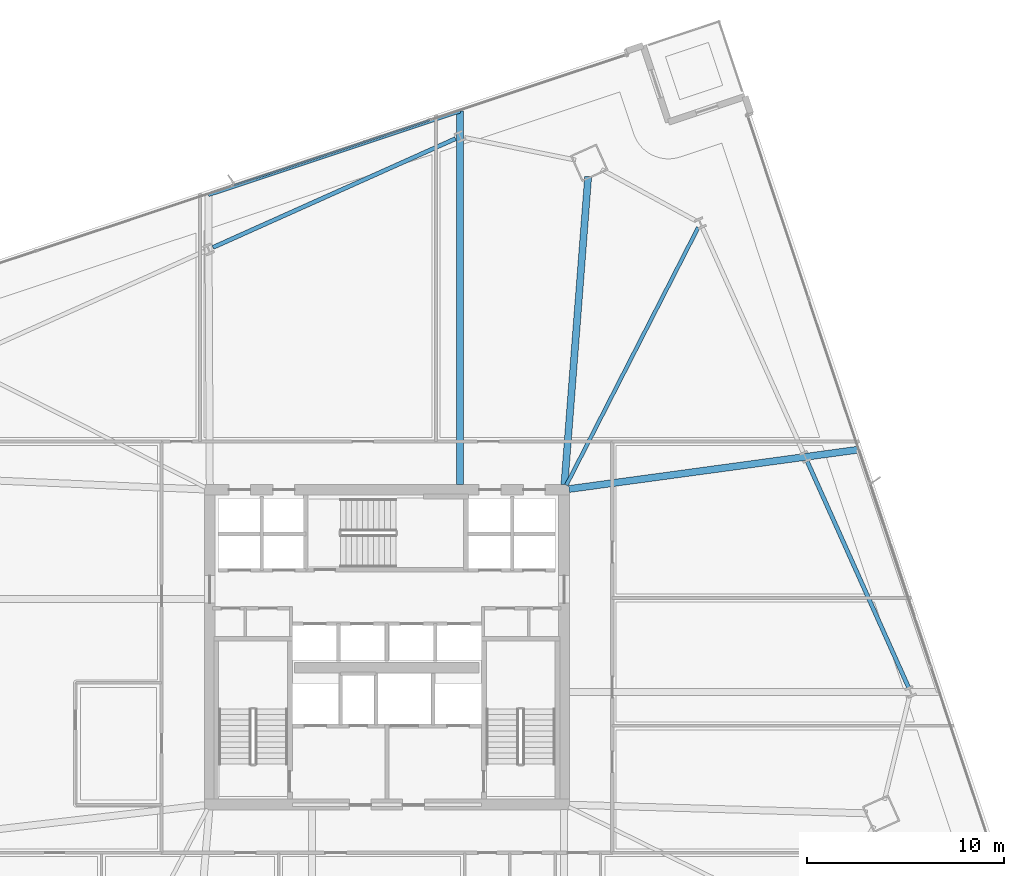
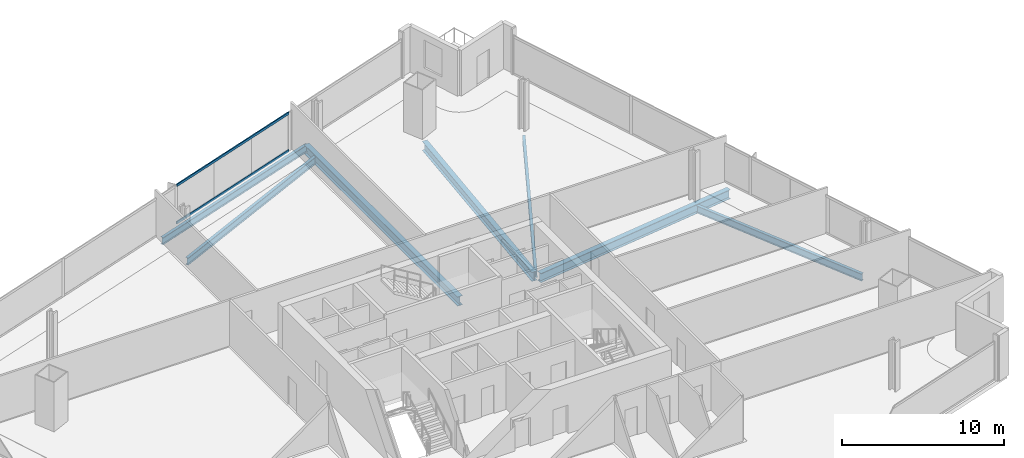
# One storey, part 19 of 34: 7 beams, 2 members, 1 element without a shape of its own.
"""IFC4 building model written with IfcOpenShell, lengths in metres."""

from ifc_helpers import new_model, si_unit, direction, frame, origin, origin_2d, place, context, subcontext, project, spatial, hollow_rectangle, i_section, extrude, material, material_profile, profile_set, type_object, element, aggregate, save


model = new_model("IFC4")

# Units and contexts
model_context = context("Model", 3, precision=1e-05, world=origin(), true_north=direction((0.0, 1.0)))
body_context = subcontext(model_context, "Body", "Model", "MODEL_VIEW")
ifc_project = project(units=[si_unit("LENGTHUNIT", "METRE"), si_unit("AREAUNIT", "SQUARE_METRE"), si_unit("VOLUMEUNIT", "CUBIC_METRE"), si_unit("PLANEANGLEUNIT", "RADIAN"), si_unit("MASSUNIT", "GRAM", prefix="KILO")], contexts=[model_context])

# Site, building, storey
site_placement = place(None, origin())
site = spatial("IfcSite", under=ifc_project, at=site_placement, CompositionType="ELEMENT")
building_placement = place(site_placement, origin())
building = spatial("IfcBuilding", under=site, at=building_placement, Name="Haldenkirk Collegiate Tower", CompositionType="ELEMENT")
storey_placement = place(building_placement, frame((0.0, 0.0, 90.449951171875)))
storey = spatial("IfcBuildingStorey", under=building, at=storey_placement, Name="L21", CompositionType="ELEMENT", Elevation=90.449951171875)

# Beams
ifc_material_1 = material(Name="Steel ASTM A992 Grade 50", Category="steel")
ifc_material_profile_1 = material_profile(ifc_material_1, i_section(OverallWidth=0.35498046875, OverallDepth=0.696044921875, WebThickness=0.015380859375, FlangeThickness=0.02490234375, at=origin_2d()), Name="W27X146")
ifc_profile_set_1 = profile_set([ifc_material_profile_1], Name="Steel ASTM A992 Grade 50")
beam_type_1 = type_object("IfcBeamType", Name="BM-GIRDER-W27X146", PredefinedType="BEAM", material=ifc_profile_set_1)
beam_1_placement = place(storey_placement, frame((46.226806640625, 49.9072265625, -0.64794921875), z_axis=(-0.076898657581, -0.997038914217, 0.0), x_axis=(0.997038914217, -0.076898657581, 0.0)))
element("IfcBeam", 1, at=beam_1_placement, inside=storey, type_object=beam_type_1, Name="L21 primary floor girder 03", PredefinedType="BEAM", context=body_context, shape_type="SweptSolid", body=[
    extrude(i_section(OverallWidth=0.35498046875, OverallDepth=0.696044921875, WebThickness=0.015380859375, FlangeThickness=0.02490234375, at=origin_2d()), origin(), (0.0, 0.0, 1.0), 15.699462890625),
])
beam_2_placement = place(storey_placement, frame((59.937255859375, 36.031982421875, -0.64794921875), z_axis=(-0.990874223955, -0.134789733664, 0.0), x_axis=(0.134789733664, -0.990874223955, 0.0)))
element("IfcBeam", 2, at=beam_2_placement, inside=storey, type_object=beam_type_1, Name="L21 primary floor girder 09", PredefinedType="BEAM", context=body_context, shape_type="SweptSolid", body=[
    extrude(i_section(OverallWidth=0.35498046875, OverallDepth=0.696044921875, WebThickness=0.015380859375, FlangeThickness=0.02490234375, at=origin_2d()), origin(), (0.0, 0.0, 1.0), 14.81982421875),
])
beam_3_placement = place(storey_placement, frame((39.71630859375, 53.245849609375, -0.64794921875), z_axis=(0.0, -1.0, 0.0), x_axis=(1.0, 0.0, 0.0)))
element("IfcBeam", 3, at=beam_3_placement, inside=storey, type_object=beam_type_1, Name="L21 primary floor girder 11", PredefinedType="BEAM", context=body_context, shape_type="SweptSolid", body=[
    extrude(i_section(OverallWidth=0.35498046875, OverallDepth=0.696044921875, WebThickness=0.015380859375, FlangeThickness=0.02490234375, at=origin_2d()), origin(), (0.0, 0.0, 1.0), 18.990966796875),
])
ifc_material_profile_2 = material_profile(ifc_material_1, i_section(OverallWidth=0.19189453125, OverallDepth=0.462890625, WebThickness=0.010498046875, FlangeThickness=0.017578125, at=origin_2d()), Name="W18X60")
ifc_profile_set_2 = profile_set([ifc_material_profile_2], Name="Steel ASTM A992 Grade 50")
beam_type_2 = type_object("IfcBeamType", Name="BM-JOIST-W18X60", PredefinedType="JOIST", material=ifc_profile_set_2)
beam_4_placement = place(storey_placement, frame((51.818603515625, 47.32470703125, -0.531494140625), z_axis=(-0.455544005291, -0.890213266158, 0.0), x_axis=(0.890213266158, -0.455544005291, 0.0)))
element("IfcBeam", 4, at=beam_4_placement, inside=storey, type_object=beam_type_2, Name="L21 composite floor joist 10", PredefinedType="JOIST", context=body_context, shape_type="SweptSolid", body=[
    extrude(i_section(OverallWidth=0.19189453125, OverallDepth=0.462890625, WebThickness=0.010498046875, FlangeThickness=0.017578125, at=origin_2d()), origin(), (0.0, 0.0, 1.0), 14.712890625),
])
ifc_material_profile_3 = material_profile(ifc_material_1, i_section(OverallWidth=0.2119140625, OverallDepth=0.5439453125, WebThickness=0.01318359375, FlangeThickness=0.021240234375, at=origin_2d()), Name="W21X83")
ifc_profile_set_3 = profile_set([ifc_material_profile_3], Name="Steel ASTM A992 Grade 50")
beam_type_3 = type_object("IfcBeamType", Name="BM-SPANDREL-W21X83", PredefinedType="SPANDREL", material=ifc_profile_set_3)
beam_5_placement = place(storey_placement, frame((62.50830078125, 23.951416015625, -0.572021484375), z_axis=(-0.409131045523, 0.91247563671, 0.0), x_axis=(-0.91247563671, -0.409131045523, 0.0)))
element("IfcBeam", 5, at=beam_5_placement, inside=storey, type_object=beam_type_3, Name="L21 perimeter spandrel beam 06", PredefinedType="SPANDREL", context=body_context, shape_type="SweptSolid", body=[
    extrude(i_section(OverallWidth=0.2119140625, OverallDepth=0.5439453125, WebThickness=0.01318359375, FlangeThickness=0.021240234375, at=origin_2d()), origin(), (0.0, 0.0, 1.0), 12.593994140625),
])
beam_6_placement = place(storey_placement, frame((39.4921875, 51.84033203125, -0.572021484375), z_axis=(-0.912476765144, -0.409128528793, 0.0), x_axis=(0.409128528793, -0.912476765144, 0.0)))
element("IfcBeam", 6, at=beam_6_placement, inside=storey, type_object=beam_type_3, Name="L21 perimeter spandrel beam 10", PredefinedType="SPANDREL", context=body_context, shape_type="SweptSolid", body=[
    extrude(i_section(OverallWidth=0.2119140625, OverallDepth=0.5439453125, WebThickness=0.01318359375, FlangeThickness=0.021240234375, at=origin_2d()), origin(), (0.0, 0.0, 1.0), 13.512939453125),
])
beam_7_placement = place(storey_placement, frame((39.71630859375, 53.245849609375, -0.572021484375), z_axis=(-0.94888049864, -0.315635548222, 0.0), x_axis=(0.315635548222, -0.94888049864, 0.0)))
element("IfcBeam", 7, at=beam_7_placement, inside=storey, type_object=beam_type_3, Name="L21 outer facade edge beam 3", PredefinedType="SPANDREL", context=body_context, shape_type="SweptSolid", body=[
    extrude(i_section(OverallWidth=0.2119140625, OverallDepth=0.5439453125, WebThickness=0.01318359375, FlangeThickness=0.021240234375, at=origin_2d()), origin(), (0.0, 0.0, 1.0), 13.48193359375),
])

# Curtain wall, members
ifc_material_2 = material(Name="Anodised architectural bronze aluminium", Category="aluminium")
curtain_wall_type = type_object("IfcCurtainWallType", Name="CW-SYS1-CONVEX-LOW", PredefinedType="USERDEFINED", material=ifc_material_2)
curtain_wall_placement = place(storey_placement, origin())
curtain_wall = element("IfcCurtainWall", 8, at=curtain_wall_placement, inside=storey, type_object=curtain_wall_type, Name="L21 Lower tower convex bronze-framed unitised curtain wall", ObjectType="UNITISED CURTAIN WALL", PredefinedType="USERDEFINED")
ifc_material_profile_4 = material_profile(ifc_material_2, hollow_rectangle(XDim=0.080078125, YDim=0.179931640625, WallThickness=0.0048828125, at=origin_2d()), Name="CW-TRN-1A")
ifc_profile_set_4 = profile_set([ifc_material_profile_4], Name="Anodised architectural bronze aluminium")
member_type = type_object("IfcMemberType", Name="CW-TRN-1A", PredefinedType="USERDEFINED", material=ifc_profile_set_4)
member_1_placement = place(storey_placement, frame((28.235107421875, 49.46875, 0.0400390625), z_axis=(0.948874331215, 0.315654088459, 0.0), x_axis=(-0.315654088459, 0.948874331215, 0.0)))
member_1 = element("IfcMember", 9, at=member_1_placement, type_object=member_type, Name="CW-1A transom 3.1", ObjectType="TRANSOM", PredefinedType="USERDEFINED", context=body_context, shape_type="SweptSolid", body=[
    extrude(hollow_rectangle(XDim=0.080078125, YDim=0.179931640625, WallThickness=0.0048828125, at=origin_2d()), origin(), (0.0, 0.0, 1.0), 10.47021484375),
])
member_2_placement = place(storey_placement, frame((28.235107421875, 49.46875, 2.861083984375), z_axis=(0.948874331215, 0.315654088459, 0.0), x_axis=(-0.315654088459, 0.948874331215, 0.0)))
member_2 = element("IfcMember", 10, at=member_2_placement, type_object=member_type, Name="CW-1A transom 3.2", ObjectType="TRANSOM", PredefinedType="USERDEFINED", context=body_context, shape_type="SweptSolid", body=[
    extrude(hollow_rectangle(XDim=0.080078125, YDim=0.179931640625, WallThickness=0.0048828125, at=origin_2d()), origin(), (0.0, 0.0, 1.0), 10.47021484375),
])
aggregate(curtain_wall, [member_1, member_2])

save(model, "model.ifc")
